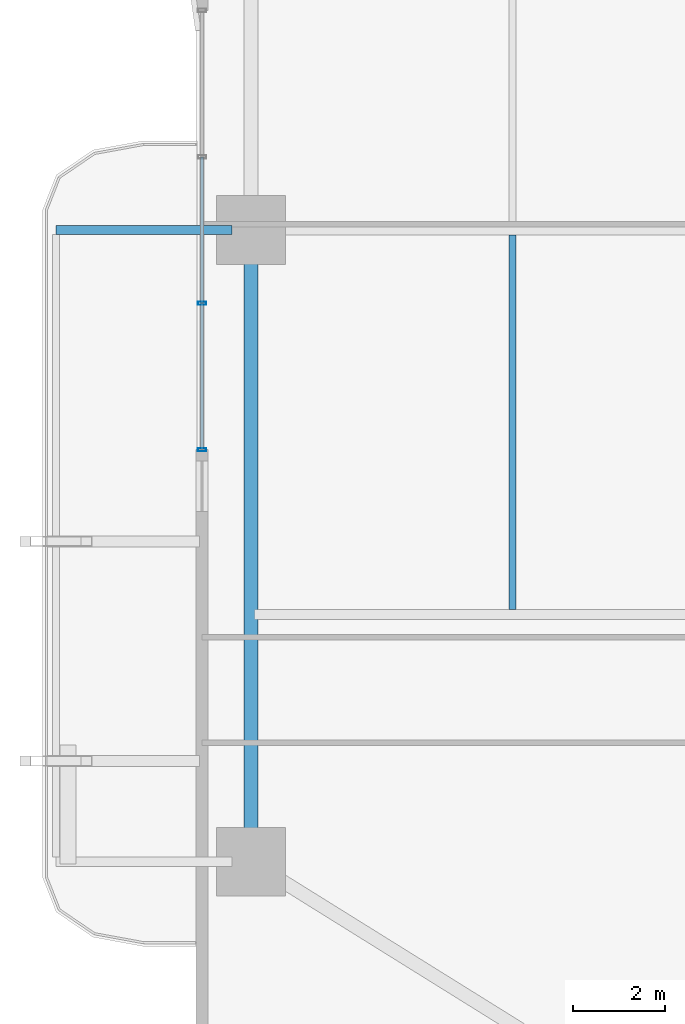
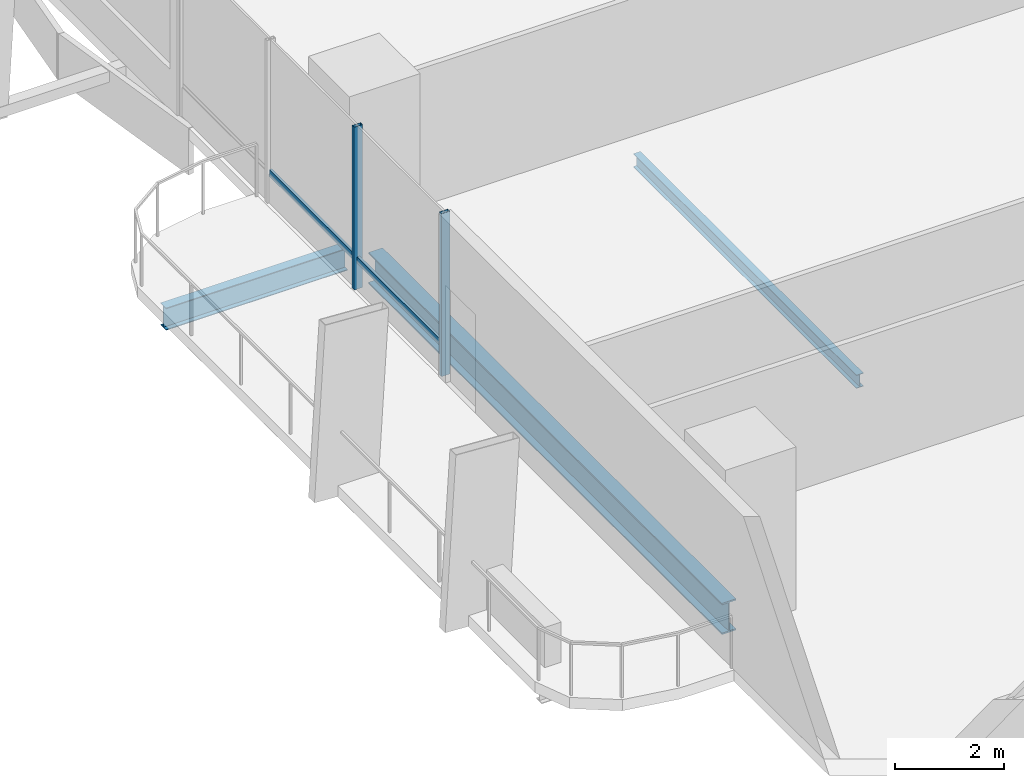
# One storey, part 4 of 24: 4 members, 3 beams, 1 element without a shape of its own.
"""IFC4 building model written with IfcOpenShell, lengths in metres."""

import ifcopenshell
import ifcopenshell.guid

model = None  # the IFC model being written
_history = None  # IfcOwnerHistory: only IFC2X3 demands one
_inside = {}  # id of a spatial element -> (the spatial element, [elements in it])
_under = {}  # id of a project, library or spatial element -> (it, [spatial elements below it])
_declared = {}  # id of a project -> (the project, [libraries it declares])
_typed = {}  # id of a type object -> (the type object, [elements of that type])
_made_of = {}  # id of a material, layer set ... -> (it, [elements and type objects made of it])


def new_model(schema):
    """Start an empty IFC model of exactly this schema.

    Asked for "IFC4X3", IfcOpenShell would pick the latest addendum, in which some entities
    have other attributes; the version numbers below select the first issue.
    IFC2X3 requires an IfcOwnerHistory on every rooted entity: one is made here for all.
    """
    global model, _history
    if schema == "IFC4X3":
        model = ifcopenshell.file(schema_version=(4, 3, 0, 0))
    else:
        model = ifcopenshell.file(schema=schema)
    _inside.clear()
    _under.clear()
    _declared.clear()
    _typed.clear()
    _made_of.clear()
    _history = None
    if model.schema == "IFC2X3":
        org = make("IfcOrganization", Name="unknown")
        user = make(
            "IfcPersonAndOrganization",
            ThePerson=make("IfcPerson", FamilyName="unknown"),
            TheOrganization=org,
        )
        app = make(
            "IfcApplication",
            ApplicationDeveloper=org,
            Version="unknown",
            ApplicationFullName="unknown",
            ApplicationIdentifier="unknown",
        )
        _history = make(
            "IfcOwnerHistory",
            OwningUser=user,
            OwningApplication=app,
            ChangeAction="ADDED",
            CreationDate=0,
        )
    return model


def make(cls, **values):
    """One entity of the class cls with the attributes given. An attribute that is None is left unset."""
    return model.create_entity(
        cls, **{name: value for name, value in values.items() if value is not None}
    )


def rooted(cls, **values):
    """An entity with a GlobalId (a new one), such as an element, a storey or a relation."""
    return make(cls, GlobalId=ifcopenshell.guid.new(), OwnerHistory=_history, **values)


def si_unit(unit_type, name, prefix=None):
    """IfcSIUnit, for example si_unit("LENGTHUNIT", "METRE", prefix="MILLI")."""
    return make("IfcSIUnit", UnitType=unit_type, Prefix=prefix, Name=name)


def assignment(units):
    """IfcUnitAssignment: the units of a project."""
    return None if units is None else make("IfcUnitAssignment", Units=units)


def point(xyz):
    """IfcCartesianPoint."""
    return None if xyz is None else make("IfcCartesianPoint", Coordinates=xyz)


def direction(xyz):
    """IfcDirection."""
    return None if xyz is None else make("IfcDirection", DirectionRatios=xyz)


def frame(location, z_axis=None, x_axis=None):
    """IfcAxis2Placement3D, a coordinate frame: its origin and axes. An axis left out is left unset."""
    return make(
        "IfcAxis2Placement3D",
        Location=point(location),
        Axis=direction(z_axis),
        RefDirection=direction(x_axis),
    )


def frame_2d(location, x_axis=None):
    """IfcAxis2Placement2D, a coordinate frame in the plane: its origin and x axis."""
    return make(
        "IfcAxis2Placement2D", Location=point(location), RefDirection=direction(x_axis)
    )


def origin():
    """The frame at (0, 0, 0) with its axes left unset."""
    return frame((0.0, 0.0, 0.0))


def origin_2d():
    """The frame at (0, 0) in the plane with its x axis left unset."""
    return frame_2d((0.0, 0.0))


def place(relative_to, where):
    """IfcLocalPlacement: puts the frame where relative to a parent placement (None: the world)."""
    return make(
        "IfcLocalPlacement", PlacementRelTo=relative_to, RelativePlacement=where
    )


def context(
    kind, dimensions, precision=None, world=None, true_north=None, identifier=None
):
    """IfcGeometricRepresentationContext, for example the 3D "Model" context."""
    return make(
        "IfcGeometricRepresentationContext",
        ContextIdentifier=identifier,
        ContextType=kind,
        CoordinateSpaceDimension=dimensions,
        Precision=precision,
        WorldCoordinateSystem=world,
        TrueNorth=true_north,
    )


def subcontext(parent, identifier, kind, view, scale=None):
    """IfcGeometricRepresentationSubContext, for example "Body" below "Model"."""
    return make(
        "IfcGeometricRepresentationSubContext",
        ContextIdentifier=identifier,
        ContextType=kind,
        ParentContext=parent,
        TargetScale=scale,
        TargetView=view,
    )


def project(units=None, contexts=None):
    """IfcProject with its units and contexts."""
    return rooted(
        "IfcProject",
        Name="project",
        RepresentationContexts=contexts,
        UnitsInContext=assignment(units),
    )


def spatial(cls, under=None, at=None, **own):
    """A site, building, storey or space (cls), placed at a placement, below another one or the project."""
    s = rooted(cls, ObjectPlacement=at, **own)
    if under is not None:
        _under.setdefault(under.id(), (under, []))[1].append(s)
    return s


def profile(cls, at=None, kind="AREA", **sizes):
    """A parametric profile (cls). Its sizes go by their IFC names, for example OverallWidth=200.0."""
    return make(cls, ProfileType=kind, Position=at, **sizes)


def hollow_rectangle(**sizes):
    """IfcRectangleHollowProfileDef."""
    return profile("IfcRectangleHollowProfileDef", **sizes)


def i_section(**sizes):
    """IfcIShapeProfileDef."""
    return profile("IfcIShapeProfileDef", **sizes)


def extrude(swept, where, along, depth):
    """IfcExtrudedAreaSolid: the profile swept, set in the frame where, extruded along a direction by depth."""
    return make(
        "IfcExtrudedAreaSolid",
        SweptArea=swept,
        Position=where,
        ExtrudedDirection=direction(along),
        Depth=depth,
    )


def shape(context_of_items, identifier, shape_type, items):
    """IfcShapeRepresentation: the items that make up one representation, for example the "Body"."""
    return make(
        "IfcShapeRepresentation",
        ContextOfItems=context_of_items,
        RepresentationIdentifier=identifier,
        RepresentationType=shape_type,
        Items=items,
    )


def material(Name=None, Category=None):
    """IfcMaterial."""
    return make("IfcMaterial", Name=Name, Category=Category)


def layer(
    of_material, thickness, ventilated=None, Name=None, Category=None, Priority=None
):
    """IfcMaterialLayer: one layer of a wall or slab, of a material (None: an air gap)."""
    return make(
        "IfcMaterialLayer",
        Material=of_material,
        LayerThickness=thickness,
        IsVentilated=ventilated,
        Name=Name,
        Category=Category,
        Priority=Priority,
    )


def layer_set(layers, Name=None):
    """IfcMaterialLayerSet."""
    return make("IfcMaterialLayerSet", MaterialLayers=layers, LayerSetName=Name)


def material_profile(
    of_material, cross_section, Name=None, Category=None, Priority=None
):
    """IfcMaterialProfile: a cross section and its material."""
    return make(
        "IfcMaterialProfile",
        Name=Name,
        Material=of_material,
        Profile=cross_section,
        Priority=Priority,
        Category=Category,
    )


def profile_set(profiles, Name=None, composite=None):
    """IfcMaterialProfileSet."""
    return make(
        "IfcMaterialProfileSet",
        Name=Name,
        MaterialProfiles=profiles,
        CompositeProfile=composite,
    )


def made_of(thing, what):
    """Note that an element or type object is made of a material, layer set ...; save() writes the relation."""
    if what is not None:
        _made_of.setdefault(what.id(), (what, []))[1].append(thing)
    return thing


def type_object(cls, material=None, **own):
    """A type object (cls), such as IfcWallType, which elements share."""
    return made_of(rooted(cls, **own), material)


def element(
    cls,
    number,
    at=None,
    inside=None,
    cuts=None,
    type_object=None,
    material=None,
    context=None,
    identifier="Body",
    shape_type=None,
    held_by="IfcProductDefinitionShape",
    body=None,
    shapes=None,
    **own,
):
    """One element of the class cls, such as IfcWall. Its Tag is "e" and its number.

    at: its placement. inside: the storey or other place that contains it. cuts: it is an
    opening in that element (IfcRelVoidsElement). A single representation is given by context,
    identifier, shape_type and body (its items); several are given by shapes. held_by: the class
    of the entity that holds the representations. save() writes the other relations.
    """
    e = rooted(cls, Tag="e%d" % number, ObjectPlacement=at, **own)
    if body is not None:
        shapes = [shape(context, identifier, shape_type, body)]
    if shapes is not None:
        e.Representation = make(held_by, Representations=shapes)
    if inside is not None:
        _inside.setdefault(inside.id(), (inside, []))[1].append(e)
    if cuts is not None:
        rooted(
            "IfcRelVoidsElement", RelatingBuildingElement=cuts, RelatedOpeningElement=e
        )
    if type_object is not None:
        _typed.setdefault(type_object.id(), (type_object, []))[1].append(e)
    return made_of(e, material)


def aggregate(whole, parts):
    """IfcRelAggregates: a whole, such as a stair, and the parts it consists of."""
    return rooted("IfcRelAggregates", RelatingObject=whole, RelatedObjects=parts)


def save(model, path):
    """Write the relations noted so far, then the file.

    IfcRelAggregates (storeys below a building ...), IfcRelContainedInSpatialStructure (elements
    in a storey), IfcRelDefinesByType, IfcRelAssociatesMaterial and IfcRelDeclares: one each for
    every whole, place, type object, material and project.
    """
    for whole, parts in _under.values():
        aggregate(whole, parts)
    for where, things in _inside.values():
        rooted(
            "IfcRelContainedInSpatialStructure",
            RelatedElements=things,
            RelatingStructure=where,
        )
    for kind, things in _typed.values():
        rooted("IfcRelDefinesByType", RelatedObjects=things, RelatingType=kind)
    for what, things in _made_of.values():
        rooted("IfcRelAssociatesMaterial", RelatedObjects=things, RelatingMaterial=what)
    for by, libraries in _declared.values():
        rooted("IfcRelDeclares", RelatingContext=by, RelatedDefinitions=libraries)
    model.write(path)


model = new_model("IFC4")

# Units and contexts
model_context = context("Model", 3, precision=1e-05, world=origin(), true_north=direction((0.0, 1.0)))
body_context = subcontext(model_context, "Body", "Model", "MODEL_VIEW")
ifc_project = project(units=[si_unit("LENGTHUNIT", "METRE"), si_unit("AREAUNIT", "SQUARE_METRE"), si_unit("VOLUMEUNIT", "CUBIC_METRE"), si_unit("PLANEANGLEUNIT", "RADIAN"), si_unit("MASSUNIT", "GRAM", prefix="KILO")], contexts=[model_context])

# Site, building, storey
site_placement = place(None, origin())
site = spatial("IfcSite", under=ifc_project, at=site_placement, CompositionType="ELEMENT")
building_placement = place(site_placement, origin())
building = spatial("IfcBuilding", under=site, at=building_placement, Name="Belovzor Exchange Tower", CompositionType="ELEMENT")
storey_placement = place(building_placement, frame((0.0, 0.0, 37.800048828125)))
storey = spatial("IfcBuildingStorey", under=building, at=storey_placement, Name="L08", CompositionType="ELEMENT", Elevation=37.800048828125)

# Beams
ifc_material_1 = material(Name="Steel S355", Category="steel")
ifc_material_profile_1 = material_profile(ifc_material_1, i_section(OverallWidth=0.199951171875, OverallDepth=0.5, WebThickness=0.01025390625, FlangeThickness=0.01611328125, at=origin_2d()))
ifc_profile_set_1 = profile_set([ifc_material_profile_1], Name="Steel S355")
beam_type_1 = type_object("IfcBeamType", Name="Planted Balcony Cantilever Beam IPE 500", PredefinedType="BEAM", material=ifc_profile_set_1)
beam_1_placement = place(storey_placement, frame((1.68798828125, 28.800048828125, -0.5), z_axis=(-1.0, 0.0, 0.0), x_axis=(0.0, -1.0, 0.0)))
element("IfcBeam", 1, at=beam_1_placement, inside=storey, type_object=beam_type_1, Name="BC-500 Planted Balcony Cantilever Beam IPE 500", PredefinedType="BEAM", context=body_context, shape_type="SweptSolid", body=[
    extrude(i_section(OverallWidth=0.199951171875, OverallDepth=0.5, WebThickness=0.01025390625, FlangeThickness=0.01611328125, at=origin_2d()), origin(), (0.0, 0.0, 1.0), 3.85009765625),
])
ifc_material_2 = material(Name="Steel S355", Category="steel")
ifc_material_profile_2 = material_profile(ifc_material_2, i_section(OverallWidth=0.14990234375, OverallDepth=0.300048828125, WebThickness=0.007080078125, FlangeThickness=0.0107421875, at=origin_2d()))
ifc_profile_set_2 = profile_set([ifc_material_profile_2], Name="Steel S355")
beam_type_2 = type_object("IfcBeamType", Name="Secondary Trim Floor Joist IPE 300", PredefinedType="BEAM", material=ifc_profile_set_2)
beam_2_placement = place(storey_placement, frame((7.81494140625, 20.5048828125, -0.400146484375), z_axis=(0.0, 1.0, 0.0), x_axis=(-1.0, 0.0, 0.0)))
element("IfcBeam", 2, at=beam_2_placement, inside=storey, type_object=beam_type_2, Name="FJ-300 Secondary Trim Floor Joist IPE 300", PredefinedType="BEAM", context=body_context, shape_type="SweptSolid", body=[
    extrude(i_section(OverallWidth=0.14990234375, OverallDepth=0.300048828125, WebThickness=0.007080078125, FlangeThickness=0.0107421875, at=origin_2d()), origin(), (0.0, 0.0, 1.0), 8.190185546875),
])

# Curtain wall, members
ifc_material_3 = material(Name="Anodised Aluminium Framing", Category="aluminium")
ifc_layer = layer(ifc_material_3, 0.179931640625)
ifc_layer_set = layer_set([ifc_layer], Name="Anodised Aluminium Framing")
curtain_wall_type = type_object("IfcCurtainWallType", Name="Recessed Loggia Low-Iron Triple-Glazed Curtain Wall", PredefinedType="NOTDEFINED", material=ifc_layer_set)
curtain_wall_placement = place(storey_placement, origin())
curtain_wall = element("IfcCurtainWall", 3, at=curtain_wall_placement, inside=storey, type_object=curtain_wall_type, Name="CW3 Recessed Loggia Low-Iron Triple-Glazed Curtain Wall L08", PredefinedType="NOTDEFINED")
ifc_material_4 = material(Name="Steel S355", Category="steel")
ifc_material_profile_3 = material_profile(ifc_material_4, hollow_rectangle(XDim=0.074951171875, YDim=0.179931640625, WallThickness=0.0048828125, at=origin_2d()))
ifc_profile_set_3 = profile_set([ifc_material_profile_3], Name="Steel S355")
member_type_1 = type_object("IfcMemberType", Name="Thermally Broken Curtain Wall Mullion 180x75", PredefinedType="MULLION", material=ifc_profile_set_3)
member_1_placement = place(storey_placement, frame((1.030029296875, 24.0, 0.0), z_axis=(0.0, 0.0, 1.0), x_axis=(0.0, 1.0, 0.0)))
member_1 = element("IfcMember", 4, at=member_1_placement, type_object=member_type_1, Name="CW-M180 Curtain Wall Mullion 1", PredefinedType="MULLION", context=body_context, shape_type="SweptSolid", body=[
    extrude(hollow_rectangle(XDim=0.074951171875, YDim=0.179931640625, WallThickness=0.0048828125, at=origin_2d()), origin(), (0.0, 0.0, 1.0), 3.64990234375),
])
member_2_placement = place(storey_placement, frame((1.030029296875, 27.199951171875, 0.0), z_axis=(0.0, 0.0, 1.0), x_axis=(0.0, 1.0, 0.0)))
member_2 = element("IfcMember", 5, at=member_2_placement, type_object=member_type_1, Name="CW-M180 Curtain Wall Mullion 2", PredefinedType="MULLION", context=body_context, shape_type="SweptSolid", body=[
    extrude(hollow_rectangle(XDim=0.074951171875, YDim=0.179931640625, WallThickness=0.0048828125, at=origin_2d()), origin(), (0.0, 0.0, 1.0), 3.64990234375),
])
ifc_material_5 = material(Name="Steel S355", Category="steel")
ifc_material_profile_4 = material_profile(ifc_material_5, hollow_rectangle(XDim=0.06005859375, YDim=0.14990234375, WallThickness=0.00390625, at=origin_2d()))
ifc_profile_set_4 = profile_set([ifc_material_profile_4], Name="Steel S355")
member_type_2 = type_object("IfcMemberType", Name="Thermally Broken Curtain Wall Transom 150x60", PredefinedType="USERDEFINED", material=ifc_profile_set_4)
member_3_placement = place(storey_placement, frame((1.030029296875, 24.008056640625, 0.64990234375), z_axis=(0.0, 1.0, 0.0), x_axis=(-1.0, 0.0, 0.0)))
member_3 = element("IfcMember", 6, at=member_3_placement, type_object=member_type_2, Name="CW-T150 Curtain Wall Transom 1", ObjectType="TRANSOM", PredefinedType="USERDEFINED", context=body_context, shape_type="SweptSolid", body=[
    extrude(hollow_rectangle(XDim=0.06005859375, YDim=0.14990234375, WallThickness=0.00390625, at=origin_2d()), origin(), (0.0, 0.0, 1.0), 3.183837890625),
])
member_4_placement = place(storey_placement, frame((1.030029296875, 27.2080078125, 0.64990234375), z_axis=(0.0, 1.0, 0.0), x_axis=(-1.0, 0.0, 0.0)))
member_4 = element("IfcMember", 7, at=member_4_placement, type_object=member_type_2, Name="CW-T150 Curtain Wall Transom 2", ObjectType="TRANSOM", PredefinedType="USERDEFINED", context=body_context, shape_type="SweptSolid", body=[
    extrude(hollow_rectangle(XDim=0.06005859375, YDim=0.14990234375, WallThickness=0.00390625, at=origin_2d()), origin(), (0.0, 0.0, 1.0), 3.18408203125),
])
aggregate(curtain_wall, [member_1, member_2, member_3, member_4])

# Beam
ifc_material_6 = material(Name="Steel S355", Category="steel")
ifc_material_profile_5 = material_profile(ifc_material_6, i_section(OverallWidth=0.300048828125, OverallDepth=0.699951171875, WebThickness=0.01708984375, FlangeThickness=0.031982421875, at=origin_2d()))
ifc_profile_set_5 = profile_set([ifc_material_profile_5], Name="Steel S355")
beam_type_3 = type_object("IfcBeamType", Name="Zone 1 Primary Perimeter Girder HEB 700", PredefinedType="BEAM", material=ifc_profile_set_5)
beam_3_placement = place(storey_placement, frame((2.10009765625, 28.386962890625, -0.60009765625), z_axis=(0.0, -1.0, 0.0), x_axis=(1.0, 0.0, 0.0)))
element("IfcBeam", 8, at=beam_3_placement, inside=storey, type_object=beam_type_3, Name="FG-Z1 Zone 1 Primary Perimeter Girder HEB 700", PredefinedType="BEAM", context=body_context, shape_type="SweptSolid", body=[
    extrude(i_section(OverallWidth=0.300048828125, OverallDepth=0.699951171875, WebThickness=0.01708984375, FlangeThickness=0.031982421875, at=origin_2d()), origin(), (0.0, 0.0, 1.0), 12.974853515625),
])

save(model, "model.ifc")
